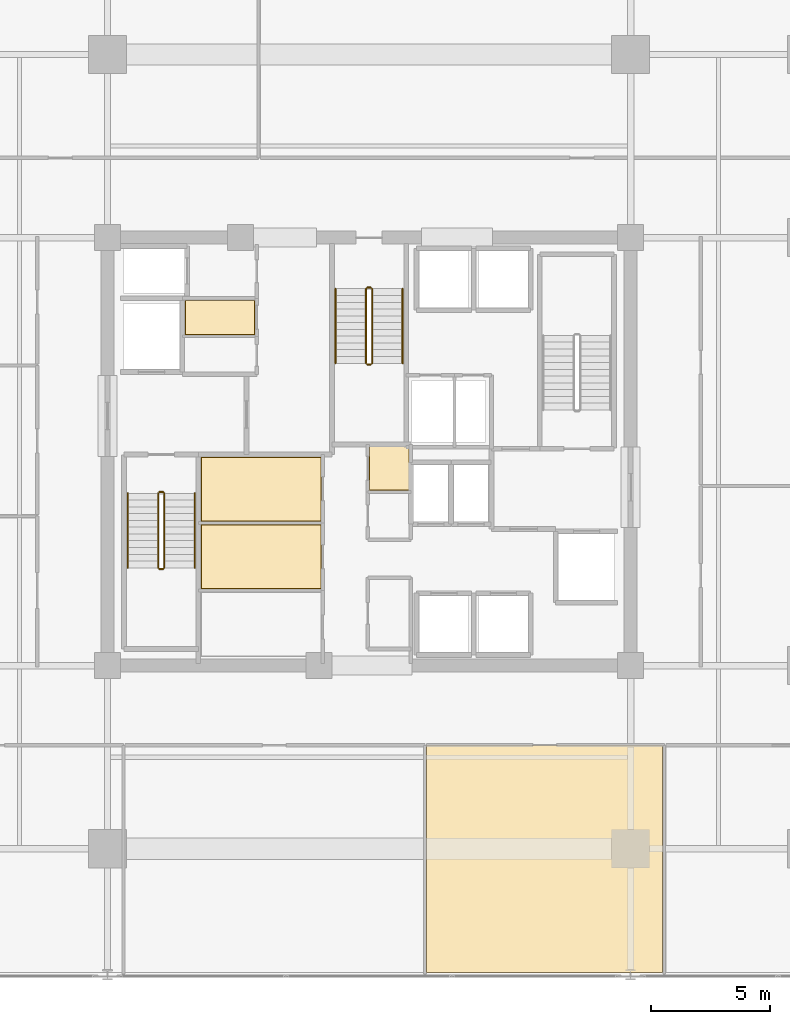
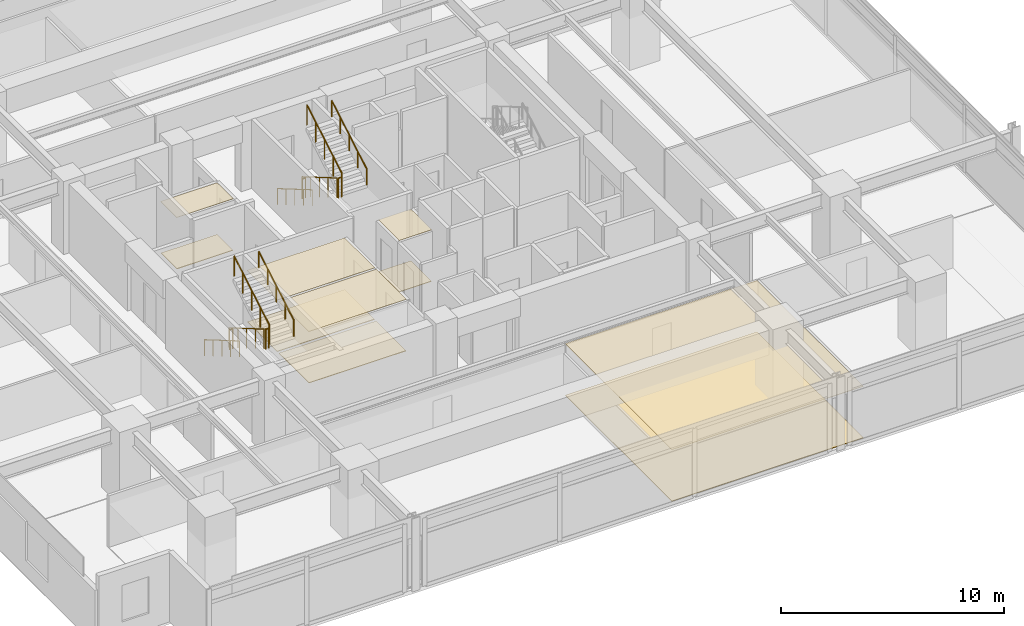
# One storey, part 18 of 20: 12 railings, 10 coverings.
"""IFC4 building model written with IfcOpenShell, lengths in metres."""

from ifc_helpers import new_model, si_unit, direction, frame, origin, origin_2d, place, context, subcontext, project, spatial, polyline, circle, outline, extrude, material, layer, layer_set, type_object, element, save


model = new_model("IFC4")

# Units and contexts
model_context = context("Model", 3, precision=1e-05, world=origin(), true_north=direction((0.0, 1.0)))
body_context = subcontext(model_context, "Body", "Model", "MODEL_VIEW")
ifc_project = project(units=[si_unit("LENGTHUNIT", "METRE"), si_unit("AREAUNIT", "SQUARE_METRE"), si_unit("VOLUMEUNIT", "CUBIC_METRE"), si_unit("PLANEANGLEUNIT", "RADIAN"), si_unit("MASSUNIT", "GRAM", prefix="KILO")], contexts=[model_context])

# Site, building, storey
site_placement = place(None, origin())
site = spatial("IfcSite", under=ifc_project, at=site_placement, CompositionType="ELEMENT")
building_placement = place(site_placement, origin())
building = spatial("IfcBuilding", under=site, at=building_placement, Name="Kovane Verandah Tower", CompositionType="ELEMENT")
storey_placement = place(building_placement, frame((0.0, 0.0, 160.39990234375)))
storey = spatial("IfcBuildingStorey", under=building, at=storey_placement, Name="L37", CompositionType="ELEMENT", Elevation=160.39990234375)

# Coverings
ifc_material_1 = material(Name="Perforated Acoustic Mineral-Fibre Ceiling Tile", Category="gypsum")
ifc_layer_1 = layer(ifc_material_1, 0.02490234375)
ifc_layer_set_1 = layer_set([ifc_layer_1], Name="Perforated Acoustic Mineral-Fibre Ceiling Tile")
covering_type_1 = type_object("IfcCoveringType", Name="CV-CEIL-25", PredefinedType="CEILING", material=ifc_layer_set_1)
covering_1_placement = place(storey_placement, frame((0.0, 0.0, 2.8251953125)))
element("IfcCovering", 1, at=covering_1_placement, inside=storey, type_object=covering_type_1, Name="L37 First Aid and Wellness Room Acoustic Ceiling", PredefinedType="CEILING", context=body_context, shape_type="SweptSolid", body=[
    extrude(outline(polyline([(32.93505859375, 21.72509765625), (37.9951171875, 21.72509765625), (37.9951171875, 24.43505859375), (32.93505859375, 24.43505859375), (32.93505859375, 21.72509765625)])), origin(), (0.0, 0.0, 1.0), 0.02490234375),
])
covering_2_placement = place(storey_placement, frame((0.0, 0.0, 2.8251953125)))
element("IfcCovering", 2, at=covering_2_placement, inside=storey, type_object=covering_type_1, Name="L37 Tea and Copy Hub Acoustic Ceiling", PredefinedType="CEILING", context=body_context, shape_type="SweptSolid", body=[
    extrude(outline(polyline([(32.93505859375, 24.56494140625), (37.9951171875, 24.56494140625), (37.9951171875, 27.264892578125), (32.93505859375, 27.264892578125), (32.93505859375, 24.56494140625)])), origin(), (0.0, 0.0, 1.0), 0.02490234375),
])
covering_3_placement = place(storey_placement, frame((0.0, 0.0, 2.8251953125)))
element("IfcCovering", 3, at=covering_3_placement, inside=storey, type_object=covering_type_1, Name="L37 North-West First Aid Room Acoustic Ceiling", PredefinedType="CEILING", context=body_context, shape_type="SweptSolid", body=[
    extrude(outline(polyline([(32.264892578125, 32.4150390625), (35.195068359375, 32.4150390625), (35.195068359375, 33.864990234375), (32.264892578125, 33.864990234375), (32.264892578125, 32.4150390625)])), origin(), (0.0, 0.0, 1.0), 0.02490234375),
])
covering_4_placement = place(storey_placement, frame((0.0, 0.0, 2.8251953125)))
element("IfcCovering", 4, at=covering_4_placement, inside=storey, type_object=covering_type_1, Name="L37 Central First Aid and Wellness Room Acoustic Ceiling", PredefinedType="CEILING", context=body_context, shape_type="SweptSolid", body=[
    extrude(outline(polyline([(40.0048828125, 25.864990234375), (41.695068359375, 25.864990234375), (41.695068359375, 27.735107421875), (40.0048828125, 27.735107421875), (40.0048828125, 25.864990234375)])), origin(), (0.0, 0.0, 1.0), 0.02490234375),
])
covering_5_placement = place(storey_placement, frame((0.0, 0.0, 2.8251953125)))
element("IfcCovering", 5, at=covering_5_placement, inside=storey, type_object=covering_type_1, Name="L37 Open Plan Office S3 Acoustic Ceiling", PredefinedType="CEILING", context=body_context, shape_type="SweptSolid", body=[
    extrude(outline(polyline([(42.426025390625, 5.588623046875), (52.34423828125, 5.588623046875), (52.34423828125, 15.14990234375), (42.426025390625, 15.14990234375), (42.426025390625, 5.588623046875)])), origin(), (0.0, 0.0, 1.0), 0.02490234375),
])
ifc_material_2 = material(Name="Polished Terrazzo and Raised-Access Carpet Tile Finish", Category="concrete")
ifc_layer_2 = layer(ifc_material_2, 0.030029296875)
ifc_layer_set_2 = layer_set([ifc_layer_2], Name="Polished Terrazzo and Raised-Access Carpet Tile Finish")
covering_type_2 = type_object("IfcCoveringType", Name="CV-FLOR-30", PredefinedType="FLOORING", material=ifc_layer_set_2)
covering_6_placement = place(storey_placement, origin())
element("IfcCovering", 6, at=covering_6_placement, inside=storey, type_object=covering_type_2, Name="L37 First Aid and Wellness Room Floor Finish", PredefinedType="FLOORING", context=body_context, shape_type="SweptSolid", body=[
    extrude(outline(polyline([(32.949951171875, 21.739990234375), (37.97998046875, 21.739990234375), (37.97998046875, 24.419921875), (32.949951171875, 24.419921875), (32.949951171875, 21.739990234375)])), origin(), (0.0, 0.0, 1.0), 0.030029296875),
])
covering_7_placement = place(storey_placement, origin())
element("IfcCovering", 7, at=covering_7_placement, inside=storey, type_object=covering_type_2, Name="L37 Tea and Copy Hub Floor Finish", PredefinedType="FLOORING", context=body_context, shape_type="SweptSolid", body=[
    extrude(outline(polyline([(32.949951171875, 24.580078125), (37.97998046875, 24.580078125), (37.97998046875, 27.25), (32.949951171875, 27.25), (32.949951171875, 24.580078125)])), origin(), (0.0, 0.0, 1.0), 0.030029296875),
])
covering_8_placement = place(storey_placement, origin())
element("IfcCovering", 8, at=covering_8_placement, inside=storey, type_object=covering_type_2, Name="L37 North-West First Aid Room Floor Finish", PredefinedType="FLOORING", context=body_context, shape_type="SweptSolid", body=[
    extrude(outline(polyline([(32.280029296875, 32.429931640625), (35.179931640625, 32.429931640625), (35.179931640625, 33.85009765625), (32.280029296875, 33.85009765625), (32.280029296875, 32.429931640625)])), origin(), (0.0, 0.0, 1.0), 0.030029296875),
])
covering_9_placement = place(storey_placement, origin())
element("IfcCovering", 9, at=covering_9_placement, inside=storey, type_object=covering_type_2, Name="L37 Central First Aid and Wellness Room Floor Finish", PredefinedType="FLOORING", context=body_context, shape_type="SweptSolid", body=[
    extrude(outline(polyline([(40.02001953125, 25.8798828125), (41.679931640625, 25.8798828125), (41.679931640625, 27.719970703125), (40.02001953125, 27.719970703125), (40.02001953125, 25.8798828125)])), origin(), (0.0, 0.0, 1.0), 0.030029296875),
])
covering_10_placement = place(storey_placement, origin())
element("IfcCovering", 10, at=covering_10_placement, inside=storey, type_object=covering_type_2, Name="L37 Open Plan Office S3 Floor Finish", PredefinedType="FLOORING", context=body_context, shape_type="SweptSolid", body=[
    extrude(outline(polyline([(42.426025390625, 5.588623046875), (52.34423828125, 5.588623046875), (52.34423828125, 15.14990234375), (42.426025390625, 15.14990234375), (42.426025390625, 5.588623046875)])), origin(), (0.0, 0.0, 1.0), 0.030029296875),
])

# Railings
ifc_material_3 = material(Name="Brushed Stainless Steel Handrail", Category="steel")
railing_type_1 = type_object("IfcRailingType", Name="RL-HAND-920", PredefinedType="HANDRAIL", material=ifc_material_3)
railing_1_placement = place(storey_placement, frame((29.85009765625, 25.75, 0.166748046875)))
element("IfcRailing", 11, at=railing_1_placement, inside=storey, type_object=railing_type_1, Name="L37 ST-01 stair handrail 1", PredefinedType="HANDRAIL", context=body_context, shape_type="SweptSolid", body=[
    extrude(circle(Radius=0.02392578125, at=origin_2d()), frame((0.0, 0.0, 0.8759765625), z_axis=(0.0, -0.863239559939, 0.504794475164), x_axis=(1.0, 0.0, 0.0)), (0.0, 0.0, 1.0), 3.631591796875),
    extrude(circle(Radius=0.02099609375, at=origin_2d()), origin(), (0.0, 0.0, 1.0), 0.851806640625),
    extrude(circle(Radius=0.02099609375, at=origin_2d()), frame((0.0, -0.78369140625, 0.458251953125)), (0.0, 0.0, 1.0), 0.851806640625),
    extrude(circle(Radius=0.02099609375, at=origin_2d()), frame((0.0, -1.5673828125, 0.91650390625)), (0.0, 0.0, 1.0), 0.851806640625),
    extrude(circle(Radius=0.02099609375, at=origin_2d()), frame((0.0, -2.351318359375, 1.375)), (0.0, 0.0, 1.0), 0.851806640625),
    extrude(circle(Radius=0.02099609375, at=origin_2d()), frame((0.0, -3.135009765625, 1.833251953125)), (0.0, 0.0, 1.0), 0.851806640625),
])
railing_2_placement = place(storey_placement, frame((32.669921875, 22.614990234375, 2.166748046875)))
element("IfcRailing", 12, at=railing_2_placement, inside=storey, type_object=railing_type_1, Name="L37 ST-01 stair handrail 2", PredefinedType="HANDRAIL", context=body_context, shape_type="SweptSolid", body=[
    extrude(circle(Radius=0.02392578125, at=origin_2d()), frame((0.0, 0.0, 0.8759765625), z_axis=(0.0, 0.863239559939, 0.504794475164), x_axis=(-1.0, 0.0, 0.0)), (0.0, 0.0, 1.0), 3.631591796875),
    extrude(circle(Radius=0.02099609375, at=origin_2d()), origin(), (0.0, 0.0, 1.0), 0.851806640625),
    extrude(circle(Radius=0.02099609375, at=origin_2d()), frame((0.0, 0.78369140625, 0.458251953125)), (0.0, 0.0, 1.0), 0.851806640625),
    extrude(circle(Radius=0.02099609375, at=origin_2d()), frame((0.0, 1.5673828125, 0.91650390625)), (0.0, 0.0, 1.0), 0.851806640625),
    extrude(circle(Radius=0.02099609375, at=origin_2d()), frame((0.0, 2.351318359375, 1.375)), (0.0, 0.0, 1.0), 0.851806640625),
    extrude(circle(Radius=0.02099609375, at=origin_2d()), frame((0.0, 3.135009765625, 1.833251953125)), (0.0, 0.0, 1.0), 0.851806640625),
])
railing_3_placement = place(storey_placement, frame((38.590087890625, 34.35009765625, 0.166748046875)))
element("IfcRailing", 13, at=railing_3_placement, inside=storey, type_object=railing_type_1, Name="L37 ST-03 stair handrail 1", PredefinedType="HANDRAIL", context=body_context, shape_type="SweptSolid", body=[
    extrude(circle(Radius=0.02392578125, at=origin_2d()), frame((0.0, 0.0, 0.8759765625), z_axis=(0.0, -0.863239559939, 0.504794475164), x_axis=(1.0, 0.0, 0.0)), (0.0, 0.0, 1.0), 3.631591796875),
    extrude(circle(Radius=0.02099609375, at=origin_2d()), origin(), (0.0, 0.0, 1.0), 0.851806640625),
    extrude(circle(Radius=0.02099609375, at=origin_2d()), frame((0.0, -0.78369140625, 0.458251953125)), (0.0, 0.0, 1.0), 0.851806640625),
    extrude(circle(Radius=0.02099609375, at=origin_2d()), frame((0.0, -1.5673828125, 0.91650390625)), (0.0, 0.0, 1.0), 0.851806640625),
    extrude(circle(Radius=0.02099609375, at=origin_2d()), frame((0.0, -2.351318359375, 1.375)), (0.0, 0.0, 1.0), 0.851806640625),
    extrude(circle(Radius=0.02099609375, at=origin_2d()), frame((0.0, -3.135009765625, 1.833251953125)), (0.0, 0.0, 1.0), 0.851806640625),
])
railing_4_placement = place(storey_placement, frame((41.409912109375, 31.215087890625, 2.166748046875)))
element("IfcRailing", 14, at=railing_4_placement, inside=storey, type_object=railing_type_1, Name="L37 ST-03 stair handrail 2", PredefinedType="HANDRAIL", context=body_context, shape_type="SweptSolid", body=[
    extrude(circle(Radius=0.02392578125, at=origin_2d()), frame((0.0, 0.0, 0.8759765625), z_axis=(0.0, 0.863239559939, 0.504794475164), x_axis=(-1.0, 0.0, 0.0)), (0.0, 0.0, 1.0), 3.631591796875),
    extrude(circle(Radius=0.02099609375, at=origin_2d()), origin(), (0.0, 0.0, 1.0), 0.851806640625),
    extrude(circle(Radius=0.02099609375, at=origin_2d()), frame((0.0, 0.78369140625, 0.458251953125)), (0.0, 0.0, 1.0), 0.851806640625),
    extrude(circle(Radius=0.02099609375, at=origin_2d()), frame((0.0, 1.5673828125, 0.91650390625)), (0.0, 0.0, 1.0), 0.851806640625),
    extrude(circle(Radius=0.02099609375, at=origin_2d()), frame((0.0, 2.351318359375, 1.375)), (0.0, 0.0, 1.0), 0.851806640625),
    extrude(circle(Radius=0.02099609375, at=origin_2d()), frame((0.0, 3.135009765625, 1.833251953125)), (0.0, 0.0, 1.0), 0.851806640625),
])
ifc_material_4 = material(Name="Painted Steel Stairwell Guardrail", Category="steel")
railing_type_2 = type_object("IfcRailingType", Name="RL-STGUARD-1120", PredefinedType="GUARDRAIL", material=ifc_material_4)
railing_5_placement = place(storey_placement, frame((31.1298828125, 25.75, 0.166748046875)))
element("IfcRailing", 15, at=railing_5_placement, inside=storey, type_object=railing_type_2, Name="L37 ST-01 stair guard 1", PredefinedType="GUARDRAIL", context=body_context, shape_type="SweptSolid", body=[
    extrude(circle(Radius=0.02392578125, at=origin_2d()), frame((0.0, 0.0, 1.076171875), z_axis=(0.0, -0.863239559939, 0.504794475164), x_axis=(1.0, 0.0, 0.0)), (0.0, 0.0, 1.0), 3.631591796875),
    extrude(circle(Radius=0.02099609375, at=origin_2d()), origin(), (0.0, 0.0, 1.0), 1.052001953125),
    extrude(circle(Radius=0.02099609375, at=origin_2d()), frame((0.0, -0.78369140625, 0.458251953125)), (0.0, 0.0, 1.0), 1.052001953125),
    extrude(circle(Radius=0.02099609375, at=origin_2d()), frame((0.0, -1.5673828125, 0.91650390625)), (0.0, 0.0, 1.0), 1.052001953125),
    extrude(circle(Radius=0.02099609375, at=origin_2d()), frame((0.0, -2.351318359375, 1.375)), (0.0, 0.0, 1.0), 1.052001953125),
    extrude(circle(Radius=0.02099609375, at=origin_2d()), frame((0.0, -3.135009765625, 1.833251953125)), (0.0, 0.0, 1.0), 1.052001953125),
])
railing_6_placement = place(storey_placement, frame((31.179931640625, 22.56494140625, 2.0)))
element("IfcRailing", 16, at=railing_6_placement, inside=storey, type_object=railing_type_2, Name="L37 ST-01 stair guard 2", PredefinedType="GUARDRAIL", context=body_context, shape_type="SweptSolid", body=[
    extrude(circle(Radius=0.02392578125, at=origin_2d()), frame((0.0, 0.0, 1.076171875), z_axis=(1.0, 0.0, 0.0), x_axis=(0.0, 1.0, 0.0)), (0.0, 0.0, 1.0), 0.16015625),
    extrude(circle(Radius=0.02099609375, at=origin_2d()), origin(), (0.0, 0.0, 1.0), 1.052001953125),
    extrude(circle(Radius=0.02099609375, at=origin_2d()), frame((0.16015625, 0.0, 0.0)), (0.0, 0.0, 1.0), 1.052001953125),
])
railing_7_placement = place(storey_placement, frame((31.389892578125, 22.614990234375, 2.166748046875)))
element("IfcRailing", 17, at=railing_7_placement, inside=storey, type_object=railing_type_2, Name="L37 ST-01 stair guard 3", PredefinedType="GUARDRAIL", context=body_context, shape_type="SweptSolid", body=[
    extrude(circle(Radius=0.02392578125, at=origin_2d()), frame((0.0, 0.0, 1.076171875), z_axis=(0.0, 0.863239559939, 0.504794475164), x_axis=(-1.0, 0.0, 0.0)), (0.0, 0.0, 1.0), 3.631591796875),
    extrude(circle(Radius=0.02099609375, at=origin_2d()), origin(), (0.0, 0.0, 1.0), 1.052001953125),
    extrude(circle(Radius=0.02099609375, at=origin_2d()), frame((0.0, 0.78369140625, 0.458251953125)), (0.0, 0.0, 1.0), 1.052001953125),
    extrude(circle(Radius=0.02099609375, at=origin_2d()), frame((0.0, 1.5673828125, 0.91650390625)), (0.0, 0.0, 1.0), 1.052001953125),
    extrude(circle(Radius=0.02099609375, at=origin_2d()), frame((0.0, 2.351318359375, 1.375)), (0.0, 0.0, 1.0), 1.052001953125),
    extrude(circle(Radius=0.02099609375, at=origin_2d()), frame((0.0, 3.135009765625, 1.833251953125)), (0.0, 0.0, 1.0), 1.052001953125),
])
railing_8_placement = place(storey_placement, frame((31.179931640625, 25.800048828125, 0.0)))
element("IfcRailing", 18, at=railing_8_placement, inside=storey, type_object=railing_type_2, Name="L37 ST-01 stair guard 4", PredefinedType="GUARDRAIL", context=body_context, shape_type="SweptSolid", body=[
    extrude(circle(Radius=0.02392578125, at=origin_2d()), frame((0.0, 0.0, 1.076171875), z_axis=(1.0, 0.0, 0.0), x_axis=(0.0, 1.0, 0.0)), (0.0, 0.0, 1.0), 0.16015625),
    extrude(circle(Radius=0.02099609375, at=origin_2d()), origin(), (0.0, 0.0, 1.0), 1.052001953125),
    extrude(circle(Radius=0.02099609375, at=origin_2d()), frame((0.16015625, 0.0, 0.0)), (0.0, 0.0, 1.0), 1.052001953125),
])
railing_9_placement = place(storey_placement, frame((39.8701171875, 34.35009765625, 0.166748046875)))
element("IfcRailing", 19, at=railing_9_placement, inside=storey, type_object=railing_type_2, Name="L37 ST-03 stair guard 1", PredefinedType="GUARDRAIL", context=body_context, shape_type="SweptSolid", body=[
    extrude(circle(Radius=0.02392578125, at=origin_2d()), frame((0.0, 0.0, 1.076171875), z_axis=(0.0, -0.863239559939, 0.504794475164), x_axis=(1.0, 0.0, 0.0)), (0.0, 0.0, 1.0), 3.631591796875),
    extrude(circle(Radius=0.02099609375, at=origin_2d()), origin(), (0.0, 0.0, 1.0), 1.052001953125),
    extrude(circle(Radius=0.02099609375, at=origin_2d()), frame((0.0, -0.78369140625, 0.458251953125)), (0.0, 0.0, 1.0), 1.052001953125),
    extrude(circle(Radius=0.02099609375, at=origin_2d()), frame((0.0, -1.5673828125, 0.91650390625)), (0.0, 0.0, 1.0), 1.052001953125),
    extrude(circle(Radius=0.02099609375, at=origin_2d()), frame((0.0, -2.351318359375, 1.375)), (0.0, 0.0, 1.0), 1.052001953125),
    extrude(circle(Radius=0.02099609375, at=origin_2d()), frame((0.0, -3.135009765625, 1.833251953125)), (0.0, 0.0, 1.0), 1.052001953125),
])
railing_10_placement = place(storey_placement, frame((39.919921875, 31.1650390625, 2.0)))
element("IfcRailing", 20, at=railing_10_placement, inside=storey, type_object=railing_type_2, Name="L37 ST-03 stair guard 2", PredefinedType="GUARDRAIL", context=body_context, shape_type="SweptSolid", body=[
    extrude(circle(Radius=0.02392578125, at=origin_2d()), frame((0.0, 0.0, 1.076171875), z_axis=(1.0, 0.0, 0.0), x_axis=(0.0, 1.0, 0.0)), (0.0, 0.0, 1.0), 0.16015625),
    extrude(circle(Radius=0.02099609375, at=origin_2d()), origin(), (0.0, 0.0, 1.0), 1.052001953125),
    extrude(circle(Radius=0.02099609375, at=origin_2d()), frame((0.16015625, 0.0, 0.0)), (0.0, 0.0, 1.0), 1.052001953125),
])
railing_11_placement = place(storey_placement, frame((40.1298828125, 31.215087890625, 2.166748046875)))
element("IfcRailing", 21, at=railing_11_placement, inside=storey, type_object=railing_type_2, Name="L37 ST-03 stair guard 3", PredefinedType="GUARDRAIL", context=body_context, shape_type="SweptSolid", body=[
    extrude(circle(Radius=0.02392578125, at=origin_2d()), frame((0.0, 0.0, 1.076171875), z_axis=(0.0, 0.863239559939, 0.504794475164), x_axis=(-1.0, 0.0, 0.0)), (0.0, 0.0, 1.0), 3.631591796875),
    extrude(circle(Radius=0.02099609375, at=origin_2d()), origin(), (0.0, 0.0, 1.0), 1.052001953125),
    extrude(circle(Radius=0.02099609375, at=origin_2d()), frame((0.0, 0.78369140625, 0.458251953125)), (0.0, 0.0, 1.0), 1.052001953125),
    extrude(circle(Radius=0.02099609375, at=origin_2d()), frame((0.0, 1.5673828125, 0.91650390625)), (0.0, 0.0, 1.0), 1.052001953125),
    extrude(circle(Radius=0.02099609375, at=origin_2d()), frame((0.0, 2.351318359375, 1.375)), (0.0, 0.0, 1.0), 1.052001953125),
    extrude(circle(Radius=0.02099609375, at=origin_2d()), frame((0.0, 3.135009765625, 1.833251953125)), (0.0, 0.0, 1.0), 1.052001953125),
])
railing_12_placement = place(storey_placement, frame((39.919921875, 34.39990234375, 0.0)))
element("IfcRailing", 22, at=railing_12_placement, inside=storey, type_object=railing_type_2, Name="L37 ST-03 stair guard 4", PredefinedType="GUARDRAIL", context=body_context, shape_type="SweptSolid", body=[
    extrude(circle(Radius=0.02392578125, at=origin_2d()), frame((0.0, 0.0, 1.076171875), z_axis=(1.0, 0.0, 0.0), x_axis=(0.0, 1.0, 0.0)), (0.0, 0.0, 1.0), 0.16015625),
    extrude(circle(Radius=0.02099609375, at=origin_2d()), origin(), (0.0, 0.0, 1.0), 1.052001953125),
    extrude(circle(Radius=0.02099609375, at=origin_2d()), frame((0.16015625, 0.0, 0.0)), (0.0, 0.0, 1.0), 1.052001953125),
])

save(model, "model.ifc")
